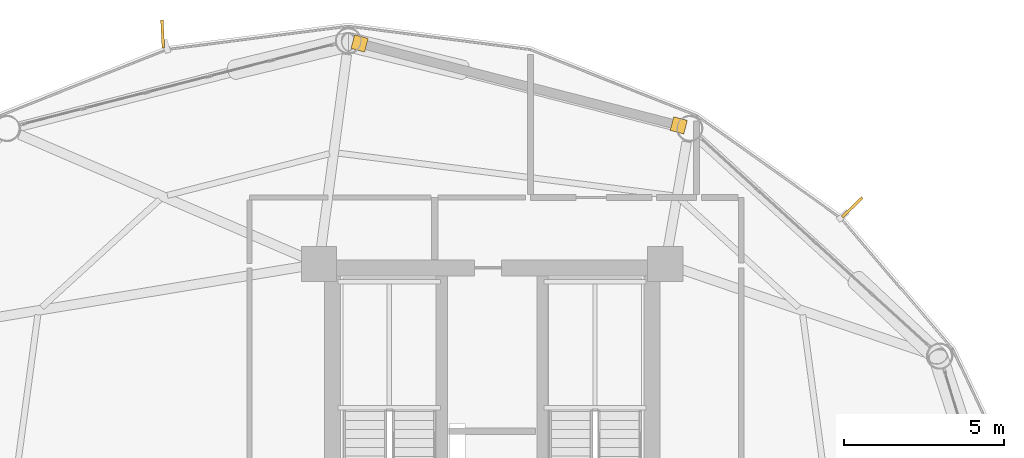
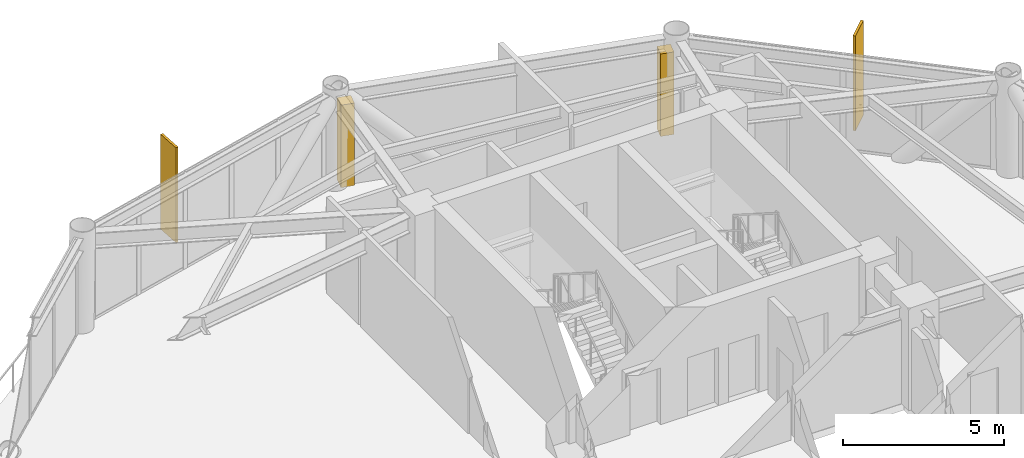
# One storey, part 23 of 23: 2 coverings, 2 shading devices.
"""IFC4 building model written with IfcOpenShell, lengths in metres."""

from ifc_helpers import new_model, si_unit, direction, frame, origin, origin_2d, place, context, subcontext, project, spatial, rectangle, extrude, source, transform, mapped, material, layer, layer_set, type_object, type_shapes, element, save


model = new_model("IFC4")

# Units and contexts
model_context = context("Model", 3, precision=1e-05, world=origin(), true_north=direction((0.0, 1.0)))
body_context = subcontext(model_context, "Body", "Model", "MODEL_VIEW")
ifc_project = project(units=[si_unit("LENGTHUNIT", "METRE"), si_unit("AREAUNIT", "SQUARE_METRE"), si_unit("VOLUMEUNIT", "CUBIC_METRE"), si_unit("PLANEANGLEUNIT", "RADIAN"), si_unit("MASSUNIT", "GRAM", prefix="KILO")], contexts=[model_context])

# Site, building, storey
site_placement = place(None, origin())
site = spatial("IfcSite", under=ifc_project, at=site_placement, CompositionType="ELEMENT")
building_placement = place(site_placement, origin())
building = spatial("IfcBuilding", under=site, at=building_placement, Name="Varnakorn Sky Granary", CompositionType="ELEMENT")
storey_placement = place(building_placement, frame((0.0, 0.0, 107.10009765625)))
storey = spatial("IfcBuildingStorey", under=building, at=storey_placement, Name="L26", CompositionType="ELEMENT", Elevation=107.10009765625)

# Shading devices
ifc_material = material(Name="Anodised Bronze Aluminium Alloy 6063-T6", Category="aluminium")
shading_device_type = type_object("IfcShadingDeviceType", Name="SH-FIN-01", PredefinedType="USERDEFINED", material=ifc_material)
shared_shape_1 = source(origin(), body_context, "Body", "SweptSolid", [
    extrude(rectangle(XDim=0.0849609375, YDim=0.8798828125, at=origin_2d()), origin(), (0.0, 0.0, 1.0), 3.60009765625),
])
type_shapes(shading_device_type, [shared_shape_1])
for number, where, z_axis, x_axis, name in (
    (1, (14.275634765625, 14.39501953125, -0.0400390625), (0.0, 0.0, 1.0), (-0.692662416347, 0.721261933683, 0.0), "Bronze Solar-Tracking Vertical Blade FIN L26-02"),
    (2, (-7.315185546875, 19.814697265625, -0.0400390625), (0.0, 0.0, 1.0), (-0.998725205645, -0.050477357399, 0.0), "Bronze Solar-Tracking Vertical Blade FIN L26-04"),
):
    element("IfcShadingDevice", number, at=place(storey_placement, frame(where, z_axis=z_axis, x_axis=x_axis)), inside=storey, type_object=shading_device_type, Name=name, ObjectType="FIN", PredefinedType="USERDEFINED", context=body_context, shape_type="MappedRepresentation", body=[
        mapped(shared_shape_1, transform((0.0, 0.0, 0.0), x_axis=(1.0, 0.0, 0.0), y_axis=(0.0, 1.0, 0.0), z_axis=(0.0, 0.0, 1.0), scale=1.0)),
    ])

# Coverings
ifc_layer = layer(ifc_material, 0.050048828125, Name="Anodised Bronze Aluminium Alloy 6063-T6")
ifc_layer_set = layer_set([ifc_layer], Name="Anodised Bronze Aluminium Alloy 6063-T6")
covering_type = type_object("IfcCoveringType", Name="CV-CLAD-50", PredefinedType="CLADDING", material=ifc_layer_set)
shared_shape_2 = source(origin(), body_context, "Body", "SweptSolid", [
    extrude(rectangle(XDim=0.43994140625, YDim=0.43994140625, at=origin_2d()), origin(), (0.0, 0.0, 1.0), 3.1298828125),
])
type_shapes(covering_type, [shared_shape_2])
for number, where, z_axis, x_axis, name in (
    (3, (-1.14990234375, 19.522216796875, -0.02001953125), (0.0, 0.0, 1.0), (0.968583161129, -0.248689887165, 0.0), "Bronze Corner Pilaster Closure L26-P03-A"),
    (4, (8.8408203125, 16.95751953125, -0.02001953125), (0.0, 0.0, 1.0), (0.968583161129, -0.248689887165, 0.0), "Bronze Corner Pilaster Closure L26-P03-B"),
):
    element("IfcCovering", number, at=place(storey_placement, frame(where, z_axis=z_axis, x_axis=x_axis)), inside=storey, type_object=covering_type, Name=name, PredefinedType="CLADDING", context=body_context, shape_type="MappedRepresentation", body=[
        mapped(shared_shape_2, transform((0.0, 0.0, 0.0), x_axis=(1.0, 0.0, 0.0), y_axis=(0.0, 1.0, 0.0), z_axis=(0.0, 0.0, 1.0), scale=1.0)),
    ])

save(model, "model.ifc")
